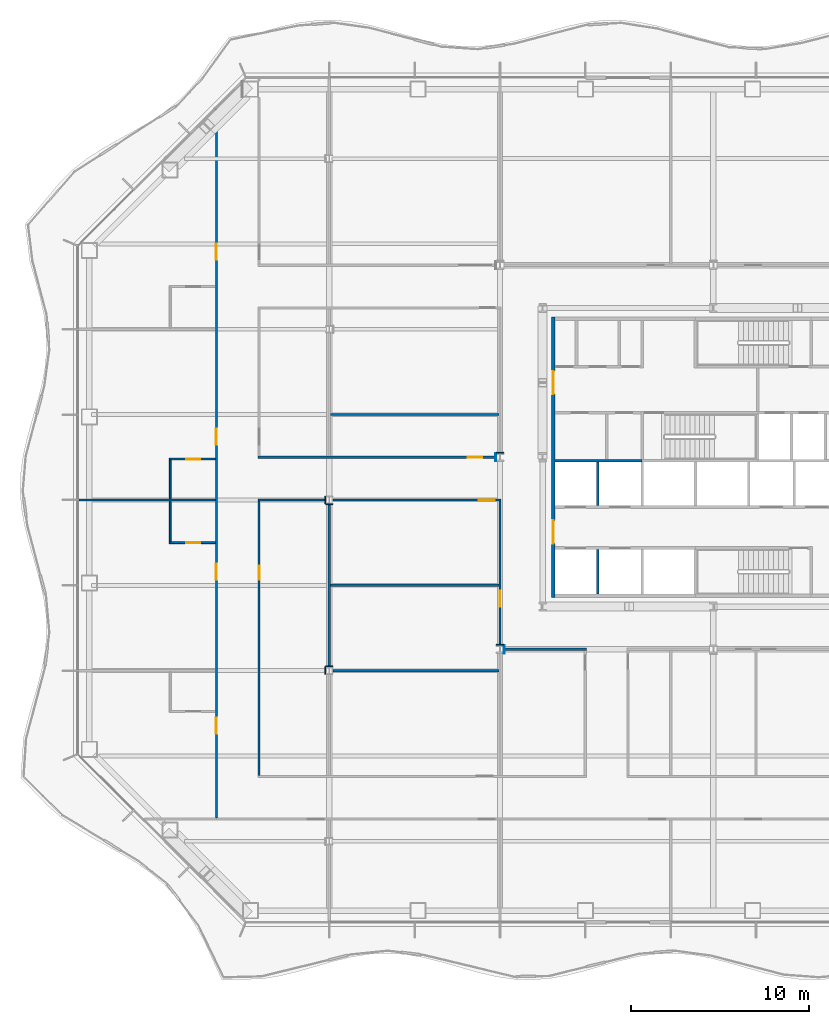
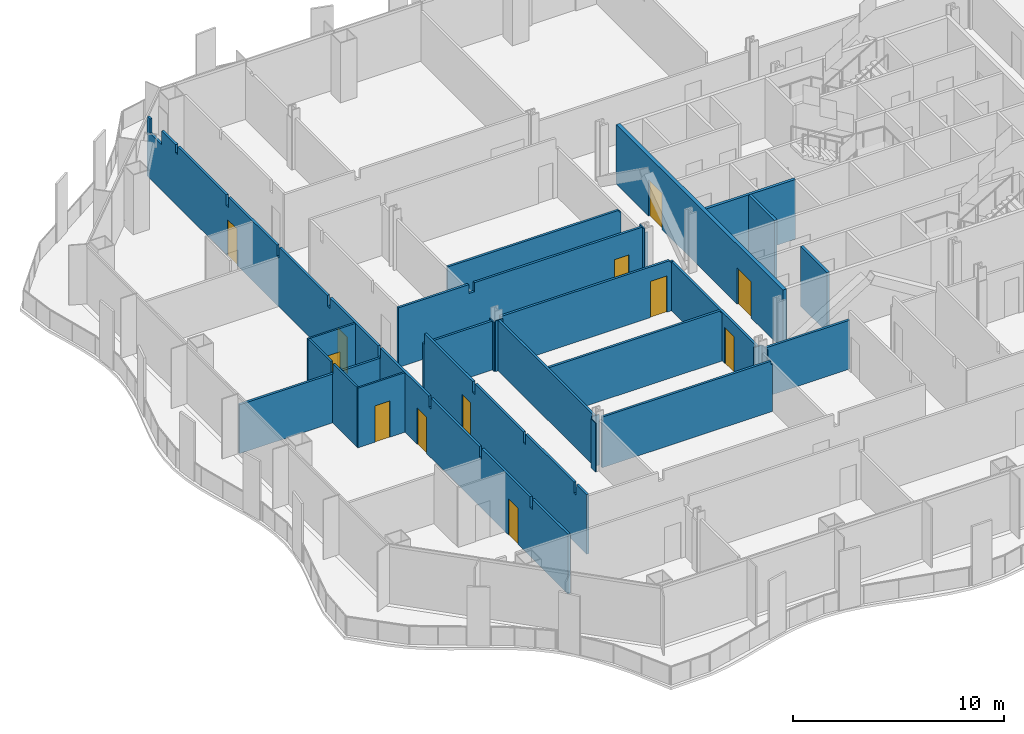
# One storey, part 7 of 17: 28 walls, 12 doors, 12 openings.
"""IFC4 building model written with IfcOpenShell, lengths in metres."""

import ifcopenshell
import ifcopenshell.guid

model = None  # the IFC model being written
_history = None  # IfcOwnerHistory: only IFC2X3 demands one
_inside = {}  # id of a spatial element -> (the spatial element, [elements in it])
_under = {}  # id of a project, library or spatial element -> (it, [spatial elements below it])
_declared = {}  # id of a project -> (the project, [libraries it declares])
_typed = {}  # id of a type object -> (the type object, [elements of that type])
_made_of = {}  # id of a material, layer set ... -> (it, [elements and type objects made of it])


def new_model(schema):
    """Start an empty IFC model of exactly this schema.

    Asked for "IFC4X3", IfcOpenShell would pick the latest addendum, in which some entities
    have other attributes; the version numbers below select the first issue.
    IFC2X3 requires an IfcOwnerHistory on every rooted entity: one is made here for all.
    """
    global model, _history
    if schema == "IFC4X3":
        model = ifcopenshell.file(schema_version=(4, 3, 0, 0))
    else:
        model = ifcopenshell.file(schema=schema)
    _inside.clear()
    _under.clear()
    _declared.clear()
    _typed.clear()
    _made_of.clear()
    _history = None
    if model.schema == "IFC2X3":
        org = make("IfcOrganization", Name="unknown")
        user = make(
            "IfcPersonAndOrganization",
            ThePerson=make("IfcPerson", FamilyName="unknown"),
            TheOrganization=org,
        )
        app = make(
            "IfcApplication",
            ApplicationDeveloper=org,
            Version="unknown",
            ApplicationFullName="unknown",
            ApplicationIdentifier="unknown",
        )
        _history = make(
            "IfcOwnerHistory",
            OwningUser=user,
            OwningApplication=app,
            ChangeAction="ADDED",
            CreationDate=0,
        )
    return model


def make(cls, **values):
    """One entity of the class cls with the attributes given. An attribute that is None is left unset."""
    return model.create_entity(
        cls, **{name: value for name, value in values.items() if value is not None}
    )


def rooted(cls, **values):
    """An entity with a GlobalId (a new one), such as an element, a storey or a relation."""
    return make(cls, GlobalId=ifcopenshell.guid.new(), OwnerHistory=_history, **values)


def si_unit(unit_type, name, prefix=None):
    """IfcSIUnit, for example si_unit("LENGTHUNIT", "METRE", prefix="MILLI")."""
    return make("IfcSIUnit", UnitType=unit_type, Prefix=prefix, Name=name)


def assignment(units):
    """IfcUnitAssignment: the units of a project."""
    return None if units is None else make("IfcUnitAssignment", Units=units)


def point(xyz):
    """IfcCartesianPoint."""
    return None if xyz is None else make("IfcCartesianPoint", Coordinates=xyz)


def direction(xyz):
    """IfcDirection."""
    return None if xyz is None else make("IfcDirection", DirectionRatios=xyz)


def frame(location, z_axis=None, x_axis=None):
    """IfcAxis2Placement3D, a coordinate frame: its origin and axes. An axis left out is left unset."""
    return make(
        "IfcAxis2Placement3D",
        Location=point(location),
        Axis=direction(z_axis),
        RefDirection=direction(x_axis),
    )


def frame_2d(location, x_axis=None):
    """IfcAxis2Placement2D, a coordinate frame in the plane: its origin and x axis."""
    return make(
        "IfcAxis2Placement2D", Location=point(location), RefDirection=direction(x_axis)
    )


def origin():
    """The frame at (0, 0, 0) with its axes left unset."""
    return frame((0.0, 0.0, 0.0))


def place(relative_to, where):
    """IfcLocalPlacement: puts the frame where relative to a parent placement (None: the world)."""
    return make(
        "IfcLocalPlacement", PlacementRelTo=relative_to, RelativePlacement=where
    )


def context(
    kind, dimensions, precision=None, world=None, true_north=None, identifier=None
):
    """IfcGeometricRepresentationContext, for example the 3D "Model" context."""
    return make(
        "IfcGeometricRepresentationContext",
        ContextIdentifier=identifier,
        ContextType=kind,
        CoordinateSpaceDimension=dimensions,
        Precision=precision,
        WorldCoordinateSystem=world,
        TrueNorth=true_north,
    )


def subcontext(parent, identifier, kind, view, scale=None):
    """IfcGeometricRepresentationSubContext, for example "Body" below "Model"."""
    return make(
        "IfcGeometricRepresentationSubContext",
        ContextIdentifier=identifier,
        ContextType=kind,
        ParentContext=parent,
        TargetScale=scale,
        TargetView=view,
    )


def project(units=None, contexts=None):
    """IfcProject with its units and contexts."""
    return rooted(
        "IfcProject",
        Name="project",
        RepresentationContexts=contexts,
        UnitsInContext=assignment(units),
    )


def spatial(cls, under=None, at=None, **own):
    """A site, building, storey or space (cls), placed at a placement, below another one or the project."""
    s = rooted(cls, ObjectPlacement=at, **own)
    if under is not None:
        _under.setdefault(under.id(), (under, []))[1].append(s)
    return s


def polyline(points):
    """IfcPolyline through the points."""
    return make("IfcPolyline", Points=[point(p) for p in points])


def profile(cls, at=None, kind="AREA", **sizes):
    """A parametric profile (cls). Its sizes go by their IFC names, for example OverallWidth=200.0."""
    return make(cls, ProfileType=kind, Position=at, **sizes)


def rectangle(**sizes):
    """IfcRectangleProfileDef."""
    return profile("IfcRectangleProfileDef", **sizes)


def outline(outer, holes=None, kind="AREA"):
    """IfcArbitraryClosedProfileDef: a profile drawn as a closed curve; with holes, ...WithVoids."""
    if holes is None:
        return make("IfcArbitraryClosedProfileDef", ProfileType=kind, OuterCurve=outer)
    return make(
        "IfcArbitraryProfileDefWithVoids",
        ProfileType=kind,
        OuterCurve=outer,
        InnerCurves=holes,
    )


def extrude(swept, where, along, depth):
    """IfcExtrudedAreaSolid: the profile swept, set in the frame where, extruded along a direction by depth."""
    return make(
        "IfcExtrudedAreaSolid",
        SweptArea=swept,
        Position=where,
        ExtrudedDirection=direction(along),
        Depth=depth,
    )


def shape(context_of_items, identifier, shape_type, items):
    """IfcShapeRepresentation: the items that make up one representation, for example the "Body"."""
    return make(
        "IfcShapeRepresentation",
        ContextOfItems=context_of_items,
        RepresentationIdentifier=identifier,
        RepresentationType=shape_type,
        Items=items,
    )


def material(Name=None, Category=None):
    """IfcMaterial."""
    return make("IfcMaterial", Name=Name, Category=Category)


def layer(
    of_material, thickness, ventilated=None, Name=None, Category=None, Priority=None
):
    """IfcMaterialLayer: one layer of a wall or slab, of a material (None: an air gap)."""
    return make(
        "IfcMaterialLayer",
        Material=of_material,
        LayerThickness=thickness,
        IsVentilated=ventilated,
        Name=Name,
        Category=Category,
        Priority=Priority,
    )


def layer_set(layers, Name=None):
    """IfcMaterialLayerSet."""
    return make("IfcMaterialLayerSet", MaterialLayers=layers, LayerSetName=Name)


def made_of(thing, what):
    """Note that an element or type object is made of a material, layer set ...; save() writes the relation."""
    if what is not None:
        _made_of.setdefault(what.id(), (what, []))[1].append(thing)
    return thing


def type_object(cls, material=None, **own):
    """A type object (cls), such as IfcWallType, which elements share."""
    return made_of(rooted(cls, **own), material)


def element(
    cls,
    number,
    at=None,
    inside=None,
    cuts=None,
    type_object=None,
    material=None,
    context=None,
    identifier="Body",
    shape_type=None,
    held_by="IfcProductDefinitionShape",
    body=None,
    shapes=None,
    **own,
):
    """One element of the class cls, such as IfcWall. Its Tag is "e" and its number.

    at: its placement. inside: the storey or other place that contains it. cuts: it is an
    opening in that element (IfcRelVoidsElement). A single representation is given by context,
    identifier, shape_type and body (its items); several are given by shapes. held_by: the class
    of the entity that holds the representations. save() writes the other relations.
    """
    e = rooted(cls, Tag="e%d" % number, ObjectPlacement=at, **own)
    if body is not None:
        shapes = [shape(context, identifier, shape_type, body)]
    if shapes is not None:
        e.Representation = make(held_by, Representations=shapes)
    if inside is not None:
        _inside.setdefault(inside.id(), (inside, []))[1].append(e)
    if cuts is not None:
        rooted(
            "IfcRelVoidsElement", RelatingBuildingElement=cuts, RelatedOpeningElement=e
        )
    if type_object is not None:
        _typed.setdefault(type_object.id(), (type_object, []))[1].append(e)
    return made_of(e, material)


def fill(opening, filler):
    """IfcRelFillsElement: the door or window that sits in an opening."""
    return rooted(
        "IfcRelFillsElement",
        RelatingOpeningElement=opening,
        RelatedBuildingElement=filler,
    )


def aggregate(whole, parts):
    """IfcRelAggregates: a whole, such as a stair, and the parts it consists of."""
    return rooted("IfcRelAggregates", RelatingObject=whole, RelatedObjects=parts)


def save(model, path):
    """Write the relations noted so far, then the file.

    IfcRelAggregates (storeys below a building ...), IfcRelContainedInSpatialStructure (elements
    in a storey), IfcRelDefinesByType, IfcRelAssociatesMaterial and IfcRelDeclares: one each for
    every whole, place, type object, material and project.
    """
    for whole, parts in _under.values():
        aggregate(whole, parts)
    for where, things in _inside.values():
        rooted(
            "IfcRelContainedInSpatialStructure",
            RelatedElements=things,
            RelatingStructure=where,
        )
    for kind, things in _typed.values():
        rooted("IfcRelDefinesByType", RelatedObjects=things, RelatingType=kind)
    for what, things in _made_of.values():
        rooted("IfcRelAssociatesMaterial", RelatedObjects=things, RelatingMaterial=what)
    for by, libraries in _declared.values():
        rooted("IfcRelDeclares", RelatingContext=by, RelatedDefinitions=libraries)
    model.write(path)


model = new_model("IFC4")

# Units and contexts
model_context = context("Model", 3, precision=1e-05, world=origin(), true_north=direction((0.0, 1.0)))
body_context = subcontext(model_context, "Body", "Model", "MODEL_VIEW")
ifc_project = project(units=[si_unit("LENGTHUNIT", "METRE"), si_unit("AREAUNIT", "SQUARE_METRE"), si_unit("VOLUMEUNIT", "CUBIC_METRE"), si_unit("PLANEANGLEUNIT", "RADIAN"), si_unit("MASSUNIT", "GRAM", prefix="KILO")], contexts=[model_context])

# Site, building, storey
site_placement = place(None, origin())
site = spatial("IfcSite", under=ifc_project, at=site_placement, CompositionType="ELEMENT")
building_placement = place(site_placement, origin())
building = spatial("IfcBuilding", under=site, at=building_placement, Name="Cairn Pilgrim Tower", CompositionType="ELEMENT")
storey_placement = place(building_placement, frame((0.0, 0.0, 79.800048828125)))
storey = spatial("IfcBuildingStorey", under=building, at=storey_placement, Name="L18", CompositionType="ELEMENT", Elevation=79.800048828125)

# Wall, openings, doors
ifc_material_1 = material(Name="Concrete C32/40", Category="concrete")
ifc_layer_1 = layer(ifc_material_1, 0.199951171875)
ifc_layer_set_1 = layer_set([ifc_layer_1], Name="CORE OUTER WALL 200 EI 120")
wall_type_1 = type_object("IfcWallType", Name="CORE OUTER WALL 200 EI 120", PredefinedType="SOLIDWALL", material=ifc_layer_set_1)
wall_1_placement = place(storey_placement, frame((-1.800048828125, -5.5, 0.0), z_axis=(0.0, 0.0, 1.0), x_axis=(0.0, 1.0, 0.0)))
wall_1 = element("IfcWall", 1, at=wall_1_placement, inside=storey, type_object=wall_type_1, Name="CW:L18:V12", PredefinedType="SOLIDWALL", context=body_context, shape_type="SweptSolid", body=[
    extrude(rectangle(XDim=15.800048828125, YDim=0.199951171875, at=frame_2d((7.89990234375, 0.0))), origin(), (0.0, 0.0, 1.0), 3.449951171875),
])
opening_1_placement = place(wall_1_placement, frame((3.050048828125, 0.0, 0.0)))
opening_1 = element("IfcOpeningElement", 2, at=opening_1_placement, cuts=wall_1, Name="Opening CD-W1", PredefinedType="OPENING", context=body_context, shape_type="SweptSolid", body=[
    extrude(rectangle(XDim=1.300048828125, YDim=2.10009765625, at=frame_2d((0.64990234375, 1.050048828125))), frame((0.0, 0.10986328125, 0.0), z_axis=(0.0, -1.0, 0.0), x_axis=(1.0, 0.0, 0.0)), (0.0, 0.0, 1.0), 0.219970703125),
])
opening_2_placement = place(wall_1_placement, frame((11.449951171875, 0.0, 0.0)))
opening_2 = element("IfcOpeningElement", 3, at=opening_2_placement, cuts=wall_1, Name="Opening CD-W2", PredefinedType="OPENING", context=body_context, shape_type="SweptSolid", body=[
    extrude(rectangle(XDim=1.300048828125, YDim=2.10009765625, at=frame_2d((0.64990234375, 1.050048828125))), frame((0.0, 0.10986328125, 0.0), z_axis=(0.0, -1.0, 0.0), x_axis=(1.0, 0.0, 0.0)), (0.0, 0.0, 1.0), 0.219970703125),
])
ifc_material_2 = material(Name="Painted steel", Category="steel")
door_type_1 = type_object("IfcDoorType", Name="CORE LOBBY DOOR 1300x2100", OperationType="DOUBLE_DOOR_SINGLE_SWING", PredefinedType="DOOR", material=ifc_material_2)
door_1_placement = place(opening_1_placement, origin())
door_1 = element("IfcDoor", 4, at=door_1_placement, inside=storey, type_object=door_type_1, Name="CD-W1", OperationType="DOUBLE_DOOR_SINGLE_SWING", OverallHeight=2.10009765625, OverallWidth=1.300048828125, PredefinedType="DOOR", context=body_context, shape_type="SweptSolid", body=[
    extrude(rectangle(XDim=1.300048828125, YDim=2.10009765625, at=frame_2d((0.64990234375, 1.050048828125))), frame((0.0, 0.02490234375, 0.0), z_axis=(0.0, -1.0, 0.0), x_axis=(1.0, 0.0, 0.0)), (0.0, 0.0, 1.0), 0.050048828125),
])
fill(opening_1, door_1)
door_2_placement = place(opening_2_placement, origin())
door_2 = element("IfcDoor", 5, at=door_2_placement, inside=storey, type_object=door_type_1, Name="CD-W2", OperationType="DOUBLE_DOOR_SINGLE_SWING", OverallHeight=2.10009765625, OverallWidth=1.300048828125, PredefinedType="DOOR", context=body_context, shape_type="SweptSolid", body=[
    extrude(rectangle(XDim=1.300048828125, YDim=2.10009765625, at=frame_2d((0.64990234375, 1.050048828125))), frame((0.0, 0.02490234375, 0.0), z_axis=(0.0, -1.0, 0.0), x_axis=(1.0, 0.0, 0.0)), (0.0, 0.0, 1.0), 0.050048828125),
])
fill(opening_2, door_2)

# Walls
ifc_layer_2 = layer(ifc_material_1, 0.14990234375)
ifc_layer_set_2 = layer_set([ifc_layer_2], Name="CORE SHAFT WALL 150 EI 120")
wall_type_2 = type_object("IfcWallType", Name="CORE SHAFT WALL 150 EI 120", PredefinedType="SOLIDWALL", material=ifc_layer_set_2)
wall_2_placement = place(storey_placement, frame((-1.699951171875, 2.199951171875, 0.0), z_axis=(0.0, 0.0, 1.0), x_axis=(1.0, 0.0, 0.0)))
element("IfcWall", 6, at=wall_2_placement, inside=storey, type_object=wall_type_2, Name="CW:L18:H05-1", PredefinedType="SOLIDWALL", context=body_context, shape_type="SweptSolid", body=[
    extrude(rectangle(XDim=4.89990234375, YDim=0.14990234375, at=frame_2d((2.449951171875, 0.0))), origin(), (0.0, 0.0, 1.0), 3.449951171875),
])
wall_3_placement = place(storey_placement, frame((0.699951171875, -5.300048828125, 0.0), z_axis=(0.0, 0.0, 1.0), x_axis=(0.0, 1.0, 0.0)))
element("IfcWall", 7, at=wall_3_placement, inside=storey, type_object=wall_type_2, Name="CW:L18:V14", PredefinedType="SOLIDWALL", context=body_context, shape_type="SweptSolid", body=[
    extrude(rectangle(XDim=2.525146484375, YDim=0.14990234375, at=frame_2d((1.2626953125, 0.0))), origin(), (0.0, 0.0, 1.0), 3.449951171875),
])
wall_4_placement = place(storey_placement, frame((0.699951171875, -0.324951171875, 0.0), z_axis=(0.0, 0.0, 1.0), x_axis=(0.0, 1.0, 0.0)))
element("IfcWall", 8, at=wall_4_placement, inside=storey, type_object=wall_type_2, Name="CW:L18:V15", PredefinedType="SOLIDWALL", context=body_context, shape_type="SweptSolid", body=[
    extrude(rectangle(XDim=2.449951171875, YDim=0.14990234375, at=frame_2d((1.22509765625, 0.0))), origin(), (0.0, 0.0, 1.0), 3.449951171875),
])

# Wall, opening, door
ifc_material_3 = material(Name="Gypsum partition")
ifc_layer_3 = layer(ifc_material_3, 0.10009765625)
ifc_layer_set_3 = layer_set([ifc_layer_3], Name="PARTITION 100 DRYWALL")
wall_type_3 = type_object("IfcWallType", Name="PARTITION 100 DRYWALL", PredefinedType="PARTITIONING", material=ifc_layer_set_3)
wall_5_placement = place(storey_placement, frame((-23.39990234375, -2.39990234375, 0.0), z_axis=(0.0, 0.0, 1.0), x_axis=(1.0, 0.0, 0.0)))
wall_5 = element("IfcWall", 9, at=wall_5_placement, inside=storey, type_object=wall_type_3, Name="PARTITION W035", PredefinedType="PARTITIONING", context=body_context, shape_type="SweptSolid", body=[
    extrude(rectangle(XDim=2.58740234375, YDim=0.10009765625, at=frame_2d((1.293701171875, 0.0))), origin(), (0.0, 0.0, 1.0), 3.449951171875),
])
opening_3_placement = place(wall_5_placement, frame((0.949951171875, 0.0, 0.0)))
opening_3 = element("IfcOpeningElement", 10, at=opening_3_placement, cuts=wall_5, Name="Opening 1807E", PredefinedType="OPENING", context=body_context, shape_type="SweptSolid", body=[
    extrude(rectangle(XDim=0.800048828125, YDim=2.10009765625, at=frame_2d((0.39990234375, 1.050048828125))), frame((0.0, 0.06005859375, 0.0), z_axis=(0.0, -1.0, 0.0), x_axis=(1.0, 0.0, 0.0)), (0.0, 0.0, 1.0), 0.1201171875),
])
ifc_material_4 = material(Name="Timber door leaf", Category="wood")
door_type_2 = type_object("IfcDoorType", Name="DOOR 800x2100", OperationType="NOTDEFINED", PredefinedType="DOOR", material=ifc_material_4)
door_3_placement = place(opening_3_placement, origin())
door_3 = element("IfcDoor", 11, at=door_3_placement, inside=storey, type_object=door_type_2, Name="DOOR 1807E", OperationType="SINGLE_SWING_RIGHT", OverallHeight=2.10009765625, OverallWidth=0.800048828125, PredefinedType="DOOR", context=body_context, shape_type="SweptSolid", body=[
    extrude(rectangle(XDim=0.800048828125, YDim=2.10009765625, at=frame_2d((0.39990234375, 1.050048828125))), frame((0.0, 0.02490234375, 0.0), z_axis=(0.0, -1.0, 0.0), x_axis=(1.0, 0.0, 0.0)), (0.0, 0.0, 1.0), 0.050048828125),
])
fill(opening_3, door_3)

# Walls
wall_6_placement = place(storey_placement, frame((-23.35009765625, -2.35009765625, 0.0), z_axis=(0.0, 0.0, 1.0), x_axis=(0.0, 1.0, 0.0)))
element("IfcWall", 12, at=wall_6_placement, inside=storey, type_object=wall_type_3, Name="PARTITION W036", PredefinedType="PARTITIONING", context=body_context, shape_type="SweptSolid", body=[
    extrude(outline(polyline([(0.0, 0.0), (2.28759765625, 0.0), (2.28759765625, 2.829833984375), (2.239990234375, 2.829833984375), (2.238037109375, 3.449951171875), (0.0, 3.449951171875), (0.0, 0.0)])), frame((0.0, 0.050048828125, 0.0), z_axis=(0.0, -1.0, 0.0), x_axis=(1.0, 0.0, 0.0)), (0.0, 0.0, 1.0), 0.10009765625),
])
wall_7_placement = place(storey_placement, frame((-23.35009765625, 0.0625, 0.0), z_axis=(0.0, 0.0, 1.0), x_axis=(0.0, 1.0, 0.0)))
element("IfcWall", 13, at=wall_7_placement, inside=storey, type_object=wall_type_3, Name="PARTITION W040", PredefinedType="PARTITIONING", context=body_context, shape_type="SweptSolid", body=[
    extrude(outline(polyline([(0.0, 0.0), (2.1875, 0.0), (2.1875, 3.449951171875), (0.047607421875, 3.449951171875), (0.04541015625, 2.829833984375), (0.0, 2.829833984375), (0.0, 0.0)])), frame((0.0, 0.050048828125, 0.0), z_axis=(0.0, -1.0, 0.0), x_axis=(1.0, 0.0, 0.0)), (0.0, 0.0, 1.0), 0.10009765625),
])

# Wall, opening, door
wall_8_placement = place(storey_placement, frame((-23.39990234375, 2.300048828125, 0.0), z_axis=(0.0, 0.0, 1.0), x_axis=(1.0, 0.0, 0.0)))
wall_8 = element("IfcWall", 14, at=wall_8_placement, inside=storey, type_object=wall_type_3, Name="PARTITION W041", PredefinedType="PARTITIONING", context=body_context, shape_type="SweptSolid", body=[
    extrude(rectangle(XDim=2.58740234375, YDim=0.10009765625, at=frame_2d((1.293701171875, 0.0))), origin(), (0.0, 0.0, 1.0), 3.449951171875),
])
opening_4_placement = place(wall_8_placement, frame((0.949951171875, 0.0, 0.0)))
opening_4 = element("IfcOpeningElement", 15, at=opening_4_placement, cuts=wall_8, Name="Opening 1808E", PredefinedType="OPENING", context=body_context, shape_type="SweptSolid", body=[
    extrude(rectangle(XDim=0.800048828125, YDim=2.10009765625, at=frame_2d((0.39990234375, 1.050048828125))), frame((0.0, 0.06005859375, 0.0), z_axis=(0.0, -1.0, 0.0), x_axis=(1.0, 0.0, 0.0)), (0.0, 0.0, 1.0), 0.1201171875),
])
door_4_placement = place(opening_4_placement, frame((0.800048828125, 0.0, 0.0), z_axis=(0.0, 0.0, 1.0), x_axis=(-1.0, 0.0, 0.0)))
door_4 = element("IfcDoor", 16, at=door_4_placement, inside=storey, type_object=door_type_2, Name="DOOR 1808E", OperationType="SINGLE_SWING_RIGHT", OverallHeight=2.10009765625, OverallWidth=0.800048828125, PredefinedType="DOOR", context=body_context, shape_type="SweptSolid", body=[
    extrude(rectangle(XDim=0.800048828125, YDim=2.10009765625, at=frame_2d((0.39990234375, 1.050048828125))), frame((0.0, 0.02490234375, 0.0), z_axis=(0.0, -1.0, 0.0), x_axis=(1.0, 0.0, 0.0)), (0.0, 0.0, 1.0), 0.050048828125),
])
fill(opening_4, door_4)

# Wall, openings, doors
ifc_layer_4 = layer(ifc_material_3, 0.125)
ifc_layer_set_4 = layer_set([ifc_layer_4], Name="PARTITION 125 DRYWALL EI 60")
wall_type_4 = type_object("IfcWallType", Name="PARTITION 125 DRYWALL EI 60", PredefinedType="PARTITIONING", material=ifc_layer_set_4)
wall_9_placement = place(storey_placement, frame((-20.75, -17.887451171875, 0.0), z_axis=(0.0, 0.0, 1.0), x_axis=(0.0, 1.0, 0.0)))
wall_9 = element("IfcWall", 17, at=wall_9_placement, inside=storey, type_object=wall_type_4, Name="PARTITION W009", PredefinedType="PARTITIONING", context=body_context, shape_type="SweptSolid", body=[
    extrude(outline(polyline([(0.0, 0.0), (39.8759765625, 0.0), (39.876220703125, 3.449951171875), (39.622314453125, 3.449951171875), (39.6201171875, 2.6298828125), (38.507080078125, 2.6298828125), (38.505126953125, 3.449951171875), (37.1826171875, 3.449951171875), (37.180419921875, 2.97998046875), (36.992431640625, 2.97998046875), (36.990478515625, 3.449951171875), (32.3974609375, 3.449951171875), (32.3955078125, 2.829833984375), (32.177490234375, 2.829833984375), (32.175537109375, 3.449951171875), (27.597412109375, 3.449951171875), (27.595458984375, 2.829833984375), (27.37744140625, 2.829833984375), (27.37548828125, 3.449951171875), (22.797607421875, 3.449951171875), (22.79541015625, 2.829833984375), (22.577392578125, 2.829833984375), (22.575439453125, 3.449951171875), (17.99755859375, 3.449951171875), (17.99560546875, 2.829833984375), (17.777587890625, 2.829833984375), (17.775390625, 3.449951171875), (13.197509765625, 3.449951171875), (13.195556640625, 2.829833984375), (12.9775390625, 2.829833984375), (12.9755859375, 3.449951171875), (8.3974609375, 3.449951171875), (8.3955078125, 2.829833984375), (8.177490234375, 2.829833984375), (8.175537109375, 3.449951171875), (3.597412109375, 3.449951171875), (3.595458984375, 2.829833984375), (3.37744140625, 2.829833984375), (3.37548828125, 3.449951171875), (0.0, 3.449951171875), (0.0, 0.0)])), frame((0.0, 0.0625, 0.0), z_axis=(0.0, -1.0, 0.0), x_axis=(1.0, 0.0, 0.0)), (0.0, 0.0, 1.0), 0.125),
])
opening_5_placement = place(wall_9_placement, frame((4.737548828125, 0.0, 0.0)))
opening_5 = element("IfcOpeningElement", 18, at=opening_5_placement, cuts=wall_9, Name="Opening 1806", PredefinedType="OPENING", context=body_context, shape_type="SweptSolid", body=[
    extrude(rectangle(XDim=0.89990234375, YDim=2.10009765625, at=frame_2d((0.449951171875, 1.050048828125))), frame((0.0, 0.072509765625, 0.0), z_axis=(0.0, -1.0, 0.0), x_axis=(1.0, 0.0, 0.0)), (0.0, 0.0, 1.0), 0.14501953125),
])
opening_6_placement = place(wall_9_placement, frame((13.387451171875, 0.0, 0.0)))
opening_6 = element("IfcOpeningElement", 19, at=opening_6_placement, cuts=wall_9, Name="Opening 1807", PredefinedType="OPENING", context=body_context, shape_type="SweptSolid", body=[
    extrude(rectangle(XDim=0.89990234375, YDim=2.10009765625, at=frame_2d((0.449951171875, 1.050048828125))), frame((0.0, 0.072509765625, 0.0), z_axis=(0.0, -1.0, 0.0), x_axis=(1.0, 0.0, 0.0)), (0.0, 0.0, 1.0), 0.14501953125),
])
opening_7_placement = place(wall_9_placement, frame((20.987548828125, 0.0, 0.0)))
opening_7 = element("IfcOpeningElement", 20, at=opening_7_placement, cuts=wall_9, Name="Opening 1808", PredefinedType="OPENING", context=body_context, shape_type="SweptSolid", body=[
    extrude(rectangle(XDim=0.89990234375, YDim=2.10009765625, at=frame_2d((0.449951171875, 1.050048828125))), frame((0.0, 0.072509765625, 0.0), z_axis=(0.0, -1.0, 0.0), x_axis=(1.0, 0.0, 0.0)), (0.0, 0.0, 1.0), 0.14501953125),
])
opening_8_placement = place(wall_9_placement, frame((31.387451171875, 0.0, 0.0)))
opening_8 = element("IfcOpeningElement", 21, at=opening_8_placement, cuts=wall_9, Name="Opening 1809", PredefinedType="OPENING", context=body_context, shape_type="SweptSolid", body=[
    extrude(rectangle(XDim=0.89990234375, YDim=2.10009765625, at=frame_2d((0.449951171875, 1.050048828125))), frame((0.0, 0.072509765625, 0.0), z_axis=(0.0, -1.0, 0.0), x_axis=(1.0, 0.0, 0.0)), (0.0, 0.0, 1.0), 0.14501953125),
])
ifc_material_5 = material(Name="Steel-faced fire door leaf", Category="steel")
door_type_3 = type_object("IfcDoorType", Name="FIRE DOOR 900x2100 FD30S", OperationType="NOTDEFINED", PredefinedType="DOOR", material=ifc_material_5)
door_5_placement = place(opening_5_placement, origin())
door_5 = element("IfcDoor", 22, at=door_5_placement, inside=storey, type_object=door_type_3, Name="DOOR 1806", OperationType="SINGLE_SWING_LEFT", OverallHeight=2.10009765625, OverallWidth=0.89990234375, PredefinedType="DOOR", context=body_context, shape_type="SweptSolid", body=[
    extrude(rectangle(XDim=0.89990234375, YDim=2.10009765625, at=frame_2d((0.449951171875, 1.050048828125))), frame((0.0, 0.02490234375, 0.0), z_axis=(0.0, -1.0, 0.0), x_axis=(1.0, 0.0, 0.0)), (0.0, 0.0, 1.0), 0.050048828125),
])
fill(opening_5, door_5)
door_6_placement = place(opening_6_placement, origin())
door_6 = element("IfcDoor", 23, at=door_6_placement, inside=storey, type_object=door_type_3, Name="DOOR 1807", OperationType="SINGLE_SWING_LEFT", OverallHeight=2.10009765625, OverallWidth=0.89990234375, PredefinedType="DOOR", context=body_context, shape_type="SweptSolid", body=[
    extrude(rectangle(XDim=0.89990234375, YDim=2.10009765625, at=frame_2d((0.449951171875, 1.050048828125))), frame((0.0, 0.02490234375, 0.0), z_axis=(0.0, -1.0, 0.0), x_axis=(1.0, 0.0, 0.0)), (0.0, 0.0, 1.0), 0.050048828125),
])
fill(opening_6, door_6)
door_7_placement = place(opening_7_placement, origin())
door_7 = element("IfcDoor", 24, at=door_7_placement, inside=storey, type_object=door_type_3, Name="DOOR 1808", OperationType="SINGLE_SWING_LEFT", OverallHeight=2.10009765625, OverallWidth=0.89990234375, PredefinedType="DOOR", context=body_context, shape_type="SweptSolid", body=[
    extrude(rectangle(XDim=0.89990234375, YDim=2.10009765625, at=frame_2d((0.449951171875, 1.050048828125))), frame((0.0, 0.02490234375, 0.0), z_axis=(0.0, -1.0, 0.0), x_axis=(1.0, 0.0, 0.0)), (0.0, 0.0, 1.0), 0.050048828125),
])
fill(opening_7, door_7)
door_8_placement = place(opening_8_placement, origin())
door_8 = element("IfcDoor", 25, at=door_8_placement, inside=storey, type_object=door_type_3, Name="DOOR 1809", OperationType="SINGLE_SWING_LEFT", OverallHeight=2.10009765625, OverallWidth=0.89990234375, PredefinedType="DOOR", context=body_context, shape_type="SweptSolid", body=[
    extrude(rectangle(XDim=0.89990234375, YDim=2.10009765625, at=frame_2d((0.449951171875, 1.050048828125))), frame((0.0, 0.02490234375, 0.0), z_axis=(0.0, -1.0, 0.0), x_axis=(1.0, 0.0, 0.0)), (0.0, 0.0, 1.0), 0.050048828125),
])
fill(opening_8, door_8)

# Wall, opening, door
wall_10_placement = place(storey_placement, frame((-18.35009765625, -15.487548828125, 0.0), z_axis=(0.0, 0.0, 1.0), x_axis=(0.0, 1.0, 0.0)))
wall_10 = element("IfcWall", 26, at=wall_10_placement, inside=storey, type_object=wall_type_4, Name="PARTITION W013", PredefinedType="PARTITIONING", context=body_context, shape_type="SweptSolid", body=[
    extrude(outline(polyline([(0.0, 0.0), (15.425048828125, 0.0), (15.425048828125, 2.829833984375), (15.37744140625, 2.829833984375), (15.37548828125, 3.449951171875), (10.797607421875, 3.449951171875), (10.79541015625, 2.829833984375), (10.577392578125, 2.829833984375), (10.575439453125, 3.449951171875), (5.99755859375, 3.449951171875), (5.99560546875, 2.829833984375), (5.777587890625, 2.829833984375), (5.775390625, 3.449951171875), (1.197509765625, 3.449951171875), (1.195556640625, 2.829833984375), (0.9775390625, 2.829833984375), (0.9755859375, 3.449951171875), (0.0, 3.449951171875), (0.0, 0.0)])), frame((0.0, 0.0625, 0.0), z_axis=(0.0, -1.0, 0.0), x_axis=(1.0, 0.0, 0.0)), (0.0, 0.0, 1.0), 0.125),
])
opening_9_placement = place(wall_10_placement, frame((10.987548828125, 0.0, 0.0)))
opening_9 = element("IfcOpeningElement", 27, at=opening_9_placement, cuts=wall_10, Name="Opening 1822", PredefinedType="OPENING", context=body_context, shape_type="SweptSolid", body=[
    extrude(rectangle(XDim=0.800048828125, YDim=2.10009765625, at=frame_2d((0.39990234375, 1.050048828125))), frame((0.0, 0.072509765625, 0.0), z_axis=(0.0, -1.0, 0.0), x_axis=(1.0, 0.0, 0.0)), (0.0, 0.0, 1.0), 0.14501953125),
])
door_type_4 = type_object("IfcDoorType", Name="FIRE DOOR 800x2100 FD30S", OperationType="NOTDEFINED", PredefinedType="DOOR", material=ifc_material_5)
door_9_placement = place(opening_9_placement, frame((0.800048828125, 0.0, 0.0), z_axis=(0.0, 0.0, 1.0), x_axis=(-1.0, 0.0, 0.0)))
door_9 = element("IfcDoor", 28, at=door_9_placement, inside=storey, type_object=door_type_4, Name="DOOR 1822", OperationType="SINGLE_SWING_LEFT", OverallHeight=2.10009765625, OverallWidth=0.800048828125, PredefinedType="DOOR", context=body_context, shape_type="SweptSolid", body=[
    extrude(rectangle(XDim=0.800048828125, YDim=2.10009765625, at=frame_2d((0.39990234375, 1.050048828125))), frame((0.0, 0.02490234375, 0.0), z_axis=(0.0, -1.0, 0.0), x_axis=(1.0, 0.0, 0.0)), (0.0, 0.0, 1.0), 0.050048828125),
])
fill(opening_9, door_9)

# Walls
wall_11_placement = place(storey_placement, frame((-14.195556640625, -9.60009765625, 0.0), z_axis=(0.0, 0.0, 1.0), x_axis=(1.0, 0.0, 0.0)))
element("IfcWall", 29, at=wall_11_placement, inside=storey, type_object=wall_type_4, Name="PARTITION W025", PredefinedType="PARTITIONING", context=body_context, shape_type="SweptSolid", body=[
    extrude(outline(polyline([(0.0, 0.0), (9.3330078125, 0.0), (9.3330078125, 2.72998046875), (9.24560546875, 2.72998046875), (9.243408203125, 2.929931640625), (0.0, 2.929931640625), (0.0, 0.0)])), frame((0.0, 0.0625, 0.0), z_axis=(0.0, -1.0, 0.0), x_axis=(1.0, 0.0, 0.0)), (0.0, 0.0, 1.0), 0.125),
])
wall_12_placement = place(storey_placement, frame((-14.39990234375, -9.387451171875, 0.0), z_axis=(0.0, 0.0, 1.0), x_axis=(0.0, 1.0, 0.0)))
element("IfcWall", 30, at=wall_12_placement, inside=storey, type_object=wall_type_4, Name="PARTITION W026", PredefinedType="PARTITIONING", context=body_context, shape_type="SweptSolid", body=[
    extrude(rectangle(XDim=9.175048828125, YDim=0.125, at=frame_2d((4.58740234375, 0.0))), origin(), (0.0, 0.0, 1.0), 2.929931640625),
])
wall_13_placement = place(storey_placement, frame((-4.587890625, -8.39990234375, 0.0), z_axis=(0.0, 0.0, 1.0), x_axis=(1.0, 0.0, 0.0)))
element("IfcWall", 31, at=wall_13_placement, inside=storey, type_object=wall_type_4, Name="PARTITION W027", PredefinedType="PARTITIONING", context=body_context, shape_type="SweptSolid", body=[
    extrude(rectangle(XDim=4.650390625, YDim=0.125, at=frame_2d((2.3251953125, 0.0))), origin(), (0.0, 0.0, 1.0), 2.829833984375),
])

# Wall, opening, door
wall_14_placement = place(storey_placement, frame((-4.800048828125, -8.1630859375, 0.0), z_axis=(0.0, 0.0, 1.0), x_axis=(0.0, 1.0, 0.0)))
wall_14 = element("IfcWall", 32, at=wall_14_placement, inside=storey, type_object=wall_type_4, Name="PARTITION W030", PredefinedType="PARTITIONING", context=body_context, shape_type="SweptSolid", body=[
    extrude(rectangle(XDim=8.1005859375, YDim=0.125, at=frame_2d((4.05029296875, 0.0))), origin(), (0.0, 0.0, 1.0), 2.829833984375),
])
opening_10_placement = place(wall_14_placement, frame((2.1630859375, 0.0, 0.0)))
opening_10 = element("IfcOpeningElement", 33, at=opening_10_placement, cuts=wall_14, Name="Opening 1818", PredefinedType="OPENING", context=body_context, shape_type="SweptSolid", body=[
    extrude(rectangle(XDim=0.89990234375, YDim=2.10009765625, at=frame_2d((0.449951171875, 1.050048828125))), frame((0.0, 0.072509765625, 0.0), z_axis=(0.0, -1.0, 0.0), x_axis=(1.0, 0.0, 0.0)), (0.0, 0.0, 1.0), 0.14501953125),
])
door_10_placement = place(opening_10_placement, origin())
door_10 = element("IfcDoor", 34, at=door_10_placement, inside=storey, type_object=door_type_3, Name="DOOR 1818", OperationType="SINGLE_SWING_LEFT", OverallHeight=2.10009765625, OverallWidth=0.89990234375, PredefinedType="DOOR", context=body_context, shape_type="SweptSolid", body=[
    extrude(rectangle(XDim=0.89990234375, YDim=2.10009765625, at=frame_2d((0.449951171875, 1.050048828125))), frame((0.0, 0.02490234375, 0.0), z_axis=(0.0, -1.0, 0.0), x_axis=(1.0, 0.0, 0.0)), (0.0, 0.0, 1.0), 0.050048828125),
])
fill(opening_10, door_10)

# Walls
wall_15_placement = place(storey_placement, frame((-14.33740234375, -4.800048828125, 0.0), z_axis=(0.0, 0.0, 1.0), x_axis=(1.0, 0.0, 0.0)))
element("IfcWall", 35, at=wall_15_placement, inside=storey, type_object=wall_type_4, Name="PARTITION W032", PredefinedType="PARTITIONING", context=body_context, shape_type="SweptSolid", body=[
    extrude(outline(polyline([(0.0, 0.0), (9.474853515625, 0.0), (9.47509765625, 2.829833984375), (9.387451171875, 2.829833984375), (9.385498046875, 2.929931640625), (0.0, 2.929931640625), (0.0, 0.0)])), frame((0.0, 0.0625, 0.0), z_axis=(0.0, -1.0, 0.0), x_axis=(1.0, 0.0, 0.0)), (0.0, 0.0, 1.0), 0.125),
])
wall_16_placement = place(storey_placement, frame((-28.489990234375, 0.0, 0.0), z_axis=(0.0, 0.0, 1.0), x_axis=(1.0, 0.0, 0.0)))
element("IfcWall", 36, at=wall_16_placement, inside=storey, type_object=wall_type_4, Name="PARTITION W037", PredefinedType="PARTITIONING", context=body_context, shape_type="SweptSolid", body=[
    extrude(rectangle(XDim=7.677490234375, YDim=0.125, at=frame_2d((3.8388671875, 0.0))), origin(), (0.0, 0.0, 1.0), 2.829833984375),
])
wall_17_placement = place(storey_placement, frame((-18.41259765625, 0.0, 0.0), z_axis=(0.0, 0.0, 1.0), x_axis=(1.0, 0.0, 0.0)))
element("IfcWall", 37, at=wall_17_placement, inside=storey, type_object=wall_type_4, Name="PARTITION W038", PredefinedType="PARTITIONING", context=body_context, shape_type="SweptSolid", body=[
    extrude(rectangle(XDim=3.80810546875, YDim=0.125, at=frame_2d((1.904052734375, 0.0))), origin(), (0.0, 0.0, 1.0), 2.829833984375),
])

# Wall, opening, door
wall_18_placement = place(storey_placement, frame((-14.195556640625, 0.0, 0.0), z_axis=(0.0, 0.0, 1.0), x_axis=(1.0, 0.0, 0.0)))
wall_18 = element("IfcWall", 38, at=wall_18_placement, inside=storey, type_object=wall_type_4, Name="PARTITION W039", PredefinedType="PARTITIONING", context=body_context, shape_type="SweptSolid", body=[
    extrude(outline(polyline([(0.0, 0.0), (9.4580078125, 0.0), (9.4580078125, 2.829833984375), (9.24560546875, 2.829833984375), (9.243408203125, 2.929931640625), (0.0, 2.929931640625), (0.0, 0.0)])), frame((0.0, 0.0625, 0.0), z_axis=(0.0, -1.0, 0.0), x_axis=(1.0, 0.0, 0.0)), (0.0, 0.0, 1.0), 0.125),
])
opening_11_placement = place(wall_18_placement, frame((8.195556640625, 0.0, 0.0)))
opening_11 = element("IfcOpeningElement", 39, at=opening_11_placement, cuts=wall_18, Name="Opening 1819", PredefinedType="OPENING", context=body_context, shape_type="SweptSolid", body=[
    extrude(rectangle(XDim=0.89990234375, YDim=2.10009765625, at=frame_2d((0.449951171875, 1.050048828125))), frame((0.0, 0.072509765625, 0.0), z_axis=(0.0, -1.0, 0.0), x_axis=(1.0, 0.0, 0.0)), (0.0, 0.0, 1.0), 0.14501953125),
])
door_11_placement = place(opening_11_placement, frame((0.89990234375, 0.0, 0.0), z_axis=(0.0, 0.0, 1.0), x_axis=(-1.0, 0.0, 0.0)))
door_11 = element("IfcDoor", 40, at=door_11_placement, inside=storey, type_object=door_type_3, Name="DOOR 1819", OperationType="SINGLE_SWING_RIGHT", OverallHeight=2.10009765625, OverallWidth=0.89990234375, PredefinedType="DOOR", context=body_context, shape_type="SweptSolid", body=[
    extrude(rectangle(XDim=0.89990234375, YDim=2.10009765625, at=frame_2d((0.449951171875, 1.050048828125))), frame((0.0, 0.02490234375, 0.0), z_axis=(0.0, -1.0, 0.0), x_axis=(1.0, 0.0, 0.0)), (0.0, 0.0, 1.0), 0.050048828125),
])
fill(opening_11, door_11)

wall_19_placement = place(storey_placement, frame((-18.41259765625, 2.39990234375, 0.0), z_axis=(0.0, 0.0, 1.0), x_axis=(1.0, 0.0, 0.0)))
wall_19 = element("IfcWall", 41, at=wall_19_placement, inside=storey, type_object=wall_type_4, Name="PARTITION W042", PredefinedType="PARTITIONING", context=body_context, shape_type="SweptSolid", body=[
    extrude(outline(polyline([(0.0, 0.0), (13.400634765625, 0.0), (13.400390625, 3.449951171875), (4.16259765625, 3.449951171875), (4.160400390625, 2.929931640625), (3.862548828125, 2.929931640625), (3.860595703125, 3.449951171875), (0.0, 3.449951171875), (0.0, 0.0)])), frame((0.0, 0.0625, 0.0), z_axis=(0.0, -1.0, 0.0), x_axis=(1.0, 0.0, 0.0)), (0.0, 0.0, 1.0), 0.125),
])
opening_12_placement = place(wall_19_placement, frame((11.8125, 0.0, 0.0)))
opening_12 = element("IfcOpeningElement", 42, at=opening_12_placement, cuts=wall_19, Name="Opening 1820", PredefinedType="OPENING", context=body_context, shape_type="SweptSolid", body=[
    extrude(rectangle(XDim=0.800048828125, YDim=2.10009765625, at=frame_2d((0.39990234375, 1.050048828125))), frame((0.0, 0.072509765625, 0.0), z_axis=(0.0, -1.0, 0.0), x_axis=(1.0, 0.0, 0.0)), (0.0, 0.0, 1.0), 0.14501953125),
])
door_12_placement = place(opening_12_placement, origin())
door_12 = element("IfcDoor", 43, at=door_12_placement, inside=storey, type_object=door_type_4, Name="DOOR 1820", OperationType="SINGLE_SWING_LEFT", OverallHeight=2.10009765625, OverallWidth=0.800048828125, PredefinedType="DOOR", context=body_context, shape_type="SweptSolid", body=[
    extrude(rectangle(XDim=0.800048828125, YDim=2.10009765625, at=frame_2d((0.39990234375, 1.050048828125))), frame((0.0, 0.02490234375, 0.0), z_axis=(0.0, -1.0, 0.0), x_axis=(1.0, 0.0, 0.0)), (0.0, 0.0, 1.0), 0.050048828125),
])
fill(opening_12, door_12)

# Walls
wall_20_placement = place(storey_placement, frame((-14.33740234375, 4.800048828125, 0.0), z_axis=(0.0, 0.0, 1.0), x_axis=(1.0, 0.0, 0.0)))
element("IfcWall", 44, at=wall_20_placement, inside=storey, type_object=wall_type_4, Name="PARTITION W048", PredefinedType="PARTITIONING", context=body_context, shape_type="SweptSolid", body=[
    extrude(outline(polyline([(0.0, 0.0), (9.474853515625, 0.0), (9.47509765625, 2.829833984375), (9.387451171875, 2.829833984375), (9.385498046875, 2.929931640625), (0.0, 2.929931640625), (0.0, 0.0)])), frame((0.0, 0.0625, 0.0), z_axis=(0.0, -1.0, 0.0), x_axis=(1.0, 0.0, 0.0)), (0.0, 0.0, 1.0), 0.125),
])
ifc_layer_5 = layer(ifc_material_3, 0.050048828125)
ifc_layer_set_5 = layer_set([ifc_layer_5], Name="PARTITION 50 DRYWALL EI 60")
wall_type_5 = type_object("IfcWallType", Name="PARTITION 50 DRYWALL EI 60", PredefinedType="PARTITIONING", material=ifc_layer_set_5)
wall_21_placement = place(storey_placement, frame((-14.62939453125, -9.8125, 0.0), z_axis=(0.0, 0.0, 1.0), x_axis=(0.0, 1.0, 0.0)))
element("IfcWall", 45, at=wall_21_placement, inside=storey, type_object=wall_type_5, Name="COLUMN CASING WC06", PredefinedType="PARTITIONING", context=body_context, shape_type="SweptSolid", body=[
    extrude(rectangle(XDim=0.425048828125, YDim=0.050048828125, at=frame_2d((0.21240234375, 0.0))), origin(), (0.0, 0.0, 1.0), 2.829833984375),
])
wall_22_placement = place(storey_placement, frame((-14.62939453125, -0.21240234375, 0.0), z_axis=(0.0, 0.0, 1.0), x_axis=(0.0, 1.0, 0.0)))
element("IfcWall", 46, at=wall_22_placement, inside=storey, type_object=wall_type_5, Name="COLUMN CASING WC07", PredefinedType="PARTITIONING", context=body_context, shape_type="SweptSolid", body=[
    extrude(rectangle(XDim=0.4248046875, YDim=0.050048828125, at=frame_2d((0.21240234375, 0.0))), origin(), (0.0, 0.0, 1.0), 2.829833984375),
])
wall_23_placement = place(storey_placement, frame((-4.56298828125, -8.636962890625, 0.0), z_axis=(0.0, 0.0, 1.0), x_axis=(0.0, 1.0, 0.0)))
element("IfcWall", 47, at=wall_23_placement, inside=storey, type_object=wall_type_5, Name="COLUMN CASING WC08", PredefinedType="PARTITIONING", context=body_context, shape_type="SweptSolid", body=[
    extrude(rectangle(XDim=0.473876953125, YDim=0.050048828125, at=frame_2d((0.23681640625, 0.0))), origin(), (0.0, 0.0, 1.0), 2.829833984375),
])
wall_24_placement = place(storey_placement, frame((-14.6044921875, -9.362548828125, 0.0), z_axis=(0.0, 0.0, 1.0), x_axis=(1.0, 0.0, 0.0)))
element("IfcWall", 48, at=wall_24_placement, inside=storey, type_object=wall_type_5, Name="COLUMN CASING WC09", PredefinedType="PARTITIONING", context=body_context, shape_type="SweptSolid", body=[
    extrude(rectangle(XDim=0.408935546875, YDim=0.050048828125, at=frame_2d((0.20458984375, 0.0))), origin(), (0.0, 0.0, 1.0), 2.929931640625),
])
wall_25_placement = place(storey_placement, frame((-5.011962890625, -8.137939453125, 0.0), z_axis=(0.0, 0.0, 1.0), x_axis=(1.0, 0.0, 0.0)))
element("IfcWall", 49, at=wall_25_placement, inside=storey, type_object=wall_type_5, Name="COLUMN CASING WC10", PredefinedType="PARTITIONING", context=body_context, shape_type="SweptSolid", body=[
    extrude(rectangle(XDim=0.424072265625, YDim=0.050048828125, at=frame_2d((0.2119140625, 0.0))), origin(), (0.0, 0.0, 1.0), 2.829833984375),
])
wall_26_placement = place(storey_placement, frame((-14.6044921875, -0.237548828125, 0.0), z_axis=(0.0, 0.0, 1.0), x_axis=(1.0, 0.0, 0.0)))
element("IfcWall", 50, at=wall_26_placement, inside=storey, type_object=wall_type_5, Name="COLUMN CASING WC14", PredefinedType="PARTITIONING", context=body_context, shape_type="SweptSolid", body=[
    extrude(rectangle(XDim=0.408935546875, YDim=0.050048828125, at=frame_2d((0.20458984375, 0.0))), origin(), (0.0, 0.0, 1.0), 2.929931640625),
])
wall_27_placement = place(storey_placement, frame((-5.011962890625, 2.662109375, 0.0), z_axis=(0.0, 0.0, 1.0), x_axis=(1.0, 0.0, 0.0)))
element("IfcWall", 51, at=wall_27_placement, inside=storey, type_object=wall_type_5, Name="COLUMN CASING WC15", PredefinedType="PARTITIONING", context=body_context, shape_type="SweptSolid", body=[
    extrude(rectangle(XDim=0.424072265625, YDim=0.050048828125, at=frame_2d((0.2119140625, 0.0))), origin(), (0.0, 0.0, 1.0), 2.829833984375),
])
wall_28_placement = place(storey_placement, frame((-5.037109375, 2.1630859375, 0.0), z_axis=(0.0, 0.0, 1.0), x_axis=(0.0, 1.0, 0.0)))
element("IfcWall", 52, at=wall_28_placement, inside=storey, type_object=wall_type_5, Name="COLUMN CASING WC17", PredefinedType="PARTITIONING", context=body_context, shape_type="SweptSolid", body=[
    extrude(rectangle(XDim=0.473876953125, YDim=0.050048828125, at=frame_2d((0.23681640625, 0.0))), origin(), (0.0, 0.0, 1.0), 3.449951171875),
])

save(model, "model.ifc")
